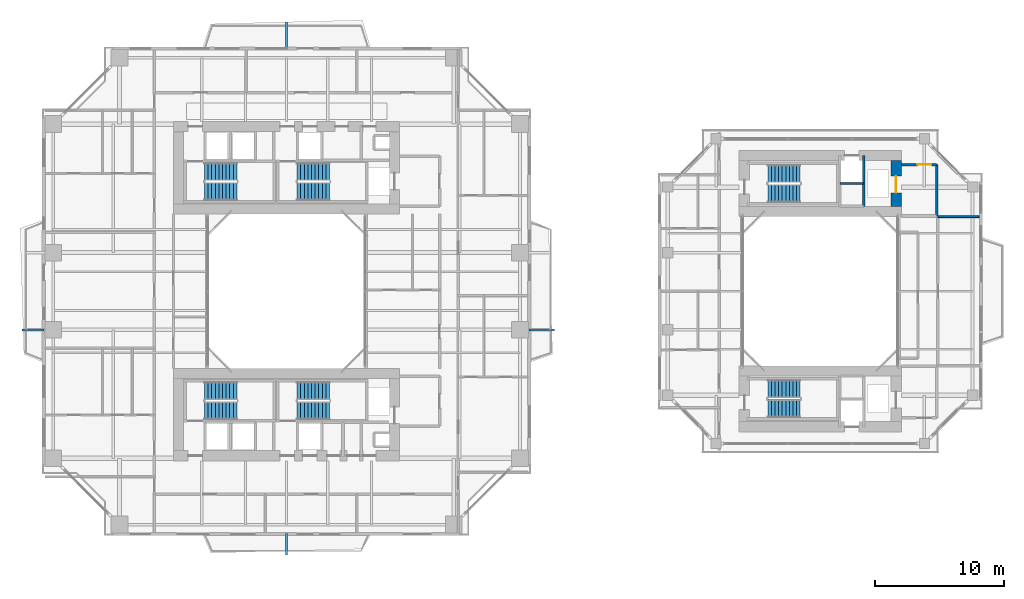
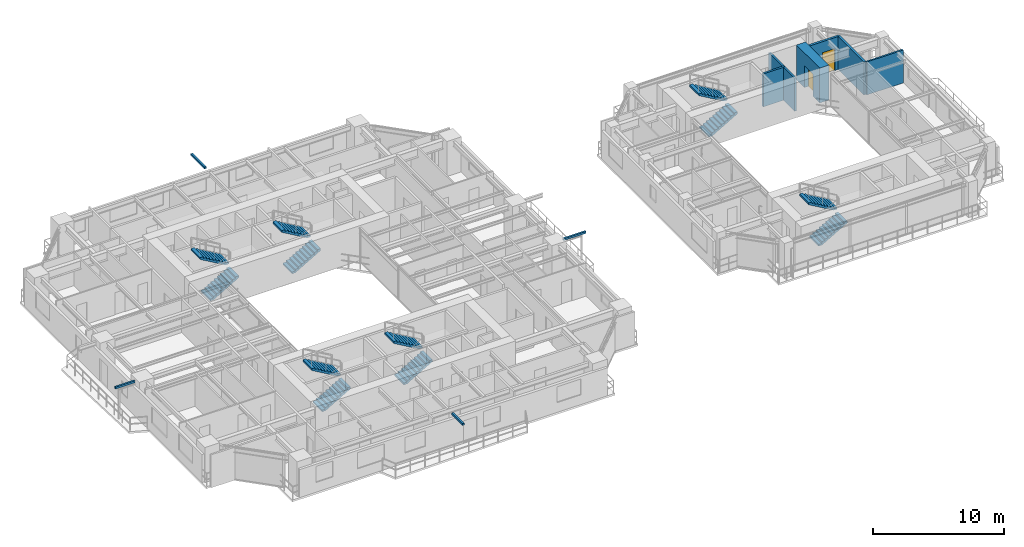
# One storey, part 19 of 23: 12 stair flights, 6 walls, 4 discrete accessories, 2 doors, 2 openings, 6 elements without a shape of their own.
"""IFC4 building model written with IfcOpenShell, lengths in metres."""

from ifc_helpers import new_model, si_unit, direction, frame, frame_2d, origin, origin_2d, place, context, subcontext, project, spatial, polyline, rectangle, outline, extrude, source, transform, mapped, material, layer, layer_set, type_object, element, fill, aggregate, save


model = new_model("IFC4")

# Units and contexts
model_context = context("Model", 3, precision=1e-05, world=origin(), true_north=direction((0.0, 1.0)))
body_context = subcontext(model_context, "Body", "Model", "MODEL_VIEW")
ifc_project = project(units=[si_unit("LENGTHUNIT", "METRE"), si_unit("AREAUNIT", "SQUARE_METRE"), si_unit("VOLUMEUNIT", "CUBIC_METRE"), si_unit("PLANEANGLEUNIT", "RADIAN"), si_unit("MASSUNIT", "GRAM", prefix="KILO"), si_unit("THERMODYNAMICTEMPERATUREUNIT", "KELVIN"), si_unit("POWERUNIT", "WATT")], contexts=[model_context])

# Site, building, storey
site_placement = place(None, origin())
site = spatial("IfcSite", under=ifc_project, at=site_placement, CompositionType="ELEMENT")
building_placement = place(site_placement, origin())
building = spatial("IfcBuilding", under=site, at=building_placement, Name="Qiaomeng Ring Towers", CompositionType="ELEMENT")
storey_placement = place(building_placement, frame((0.0, 0.0, 86.0)))
storey = spatial("IfcBuildingStorey", under=building, at=storey_placement, Name="L24", CompositionType="ELEMENT", Elevation=86.0)

# Wall
ifc_material_1 = material(Name="Autoclaved aerated concrete block", Category="concrete")
ifc_layer_1 = layer(ifc_material_1, 0.199951171875, Name="Autoclaved aerated concrete block")
ifc_layer_set_1 = layer_set([ifc_layer_1], Name="Autoclaved aerated concrete block")
wall_type_1 = type_object("IfcWallType", Name="ARC-WL-PW1", PredefinedType="PARTITIONING", material=ifc_layer_set_1)
wall_1_placement = place(storey_placement, frame((69.550048828125, 28.85009765625, 0.0), z_axis=(0.0, 0.0, 1.0), x_axis=(0.0, 1.0, 0.0)))
element("IfcWall", 1, at=wall_1_placement, inside=storey, type_object=wall_type_1, Name="L24 Interior Wall PW1", PredefinedType="PARTITIONING", context=body_context, shape_type="SweptSolid", body=[
    extrude(rectangle(XDim=4.0, YDim=0.199951171875, at=frame_2d((2.0, 0.0))), origin(), (0.0, 0.0, 1.0), 3.070068359375),
])

# Wall, opening, door
wall_2_placement = place(storey_placement, frame((66.800048828125, 32.85009765625, 0.0), z_axis=(0.0, 0.0, 1.0), x_axis=(1.0, 0.0, 0.0)))
wall_2 = element("IfcWall", 2, at=wall_2_placement, inside=storey, type_object=wall_type_1, Name="L24 Interior Wall PW1", PredefinedType="PARTITIONING", context=body_context, shape_type="SweptSolid", body=[
    extrude(rectangle(XDim=2.75, YDim=0.199951171875, at=frame_2d((1.375, 0.0))), origin(), (0.0, 0.0, 1.0), 3.070068359375),
])
opening_1_placement = place(wall_2_placement, frame((1.25, 0.0, 0.0)))
opening_1 = element("IfcOpeningElement", 3, at=opening_1_placement, cuts=wall_2, Name="Opening FD3", PredefinedType="OPENING", context=body_context, shape_type="SweptSolid", body=[
    extrude(rectangle(XDim=1.10009765625, YDim=2.050048828125, at=frame_2d((0.550048828125, 1.02490234375))), frame((0.0, 0.10986328125, 0.0), z_axis=(0.0, -1.0, 0.0), x_axis=(1.0, 0.0, 0.0)), (0.0, 0.0, 1.0), 0.219970703125),
])
ifc_material_2 = material(Name="Galvanised steel", Category="steel")
door_type_1 = type_object("IfcDoorType", Name="ARC-DR-FD3", OperationType="NOTDEFINED", PredefinedType="DOOR", material=ifc_material_2)
shared_shape_1 = source(origin(), body_context, "Body", "SweptSolid", [
    extrude(rectangle(XDim=1.10009765625, YDim=2.050048828125, at=frame_2d((0.550048828125, 1.02490234375))), frame((0.0, 0.02490234375, 0.0), z_axis=(0.0, -1.0, 0.0), x_axis=(1.0, 0.0, 0.0)), (0.0, 0.0, 1.0), 0.050048828125),
])
door_1_placement = place(opening_1_placement, origin())
door_1 = element("IfcDoor", 4, at=door_1_placement, inside=storey, type_object=door_type_1, Name="L24 Door FD3", OperationType="SINGLE_SWING_RIGHT", OverallHeight=2.050048828125, OverallWidth=1.10009765625, PredefinedType="DOOR", context=body_context, shape_type="MappedRepresentation", body=[
    mapped(shared_shape_1, transform((0.0, 0.0, 0.0), x_axis=(1.0, 0.0, 0.0), y_axis=(0.0, 1.0, 0.0), z_axis=(0.0, 0.0, 1.0), scale=1.0)),
])
fill(opening_1, door_1)

# Walls
ifc_material_3 = material(Name="Gypsum fireboard steel-stud partition", Category="steel")
ifc_layer_2 = layer(ifc_material_3, 0.14990234375, Name="Gypsum fireboard steel-stud partition")
ifc_layer_set_2 = layer_set([ifc_layer_2], Name="Gypsum fireboard steel-stud partition")
wall_type_2 = type_object("IfcWallType", Name="ARC-WL-PW3", PredefinedType="PARTITIONING", material=ifc_layer_set_2)
wall_3_placement = place(storey_placement, frame((69.64990234375, 28.800048828125, 0.0), z_axis=(0.0, 0.0, 1.0), x_axis=(1.0, 0.0, 0.0)))
element("IfcWall", 5, at=wall_3_placement, inside=storey, type_object=wall_type_2, Name="L24 Interior Wall PW3", PredefinedType="PARTITIONING", context=body_context, shape_type="SweptSolid", body=[
    extrude(rectangle(XDim=3.2001953125, YDim=0.14990234375, at=frame_2d((1.60009765625, 0.0))), origin(), (0.0, 0.0, 1.0), 3.070068359375),
])
ifc_material_4 = material(Name="Concrete C40", Category="concrete")
ifc_layer_3 = layer(ifc_material_4, 0.199951171875, Name="Concrete C40")
ifc_layer_set_3 = layer_set([ifc_layer_3], Name="Concrete C40")
wall_type_3 = type_object("IfcWallType", Name="STR-WL-STSHAFT", PredefinedType="SHEAR", material=ifc_layer_set_3)
wall_4_placement = place(storey_placement, frame((63.8798828125, 29.60009765625, 0.0), z_axis=(0.0, 0.0, 1.0), x_axis=(0.0, 1.0, 0.0)))
element("IfcWall", 6, at=wall_4_placement, inside=storey, type_object=wall_type_3, Name="L24 Companion Lift Shaft East Wall N", PredefinedType="SHEAR", context=body_context, shape_type="SweptSolid", body=[
    extrude(rectangle(XDim=3.949951171875, YDim=0.179931640625, at=frame_2d((1.97509765625, 0.0))), origin(), (0.0, 0.0, 1.0), 3.070068359375),
])
wall_5_placement = place(storey_placement, frame((62.02001953125, 31.3798828125, 0.0), z_axis=(0.0, 0.0, 1.0), x_axis=(1.0, 0.0, 0.0)))
element("IfcWall", 7, at=wall_5_placement, inside=storey, type_object=wall_type_3, Name="L24 Companion Lift Shaft Divider Wall N", PredefinedType="SHEAR", context=body_context, shape_type="SweptSolid", body=[
    extrude(rectangle(XDim=1.85986328125, YDim=0.179931640625, at=frame_2d((0.929931640625, 0.0))), origin(), (0.0, 0.0, 1.0), 3.070068359375),
])

# Wall, opening, door
ifc_material_5 = material(Name="Concrete C60", Category="concrete")
ifc_layer_4 = layer(ifc_material_5, 0.800048828125, Name="Concrete C60")
ifc_layer_set_4 = layer_set([ifc_layer_4], Name="Concrete C60")
wall_type_4 = type_object("IfcWallType", Name="STR-WL-SW1", PredefinedType="SHEAR", material=ifc_layer_set_4)
wall_6_placement = place(storey_placement, frame((66.39990234375, 29.60009765625, 0.0), z_axis=(0.0, 0.0, 1.0), x_axis=(0.0, 1.0, 0.0)))
wall_6 = element("IfcWall", 8, at=wall_6_placement, inside=storey, type_object=wall_type_4, Name="L24 T2NC east core shear wall", PredefinedType="SHEAR", context=body_context, shape_type="SweptSolid", body=[
    extrude(rectangle(XDim=3.5498046875, YDim=0.800048828125, at=frame_2d((1.77490234375, 0.0))), origin(), (0.0, 0.0, 1.0), 3.25),
])
opening_2_placement = place(wall_6_placement, frame((1.050048828125, 0.0, 0.0)))
opening_2 = element("IfcOpeningElement", 9, at=opening_2_placement, cuts=wall_6, Name="Opening LD2", PredefinedType="OPENING", context=body_context, shape_type="SweptSolid", body=[
    extrude(rectangle(XDim=1.300048828125, YDim=2.050048828125, at=frame_2d((0.64990234375, 1.02490234375))), frame((0.0, 0.409912109375, 0.0), z_axis=(0.0, -1.0, 0.0), x_axis=(1.0, 0.0, 0.0)), (0.0, 0.0, 1.0), 0.820068359375),
])
ifc_material_6 = material(Name="Stainless steel 316", Category="steel")
door_type_2 = type_object("IfcDoorType", Name="ARC-DR-LD2", OperationType="NOTDEFINED", PredefinedType="DOOR", material=ifc_material_6)
shared_shape_2 = source(origin(), body_context, "Body", "SweptSolid", [
    extrude(rectangle(XDim=1.300048828125, YDim=2.050048828125, at=frame_2d((0.64990234375, 1.02490234375))), frame((0.0, 0.02490234375, 0.0), z_axis=(0.0, -1.0, 0.0), x_axis=(1.0, 0.0, 0.0)), (0.0, 0.0, 1.0), 0.050048828125),
])
door_2_placement = place(opening_2_placement, origin())
door_2 = element("IfcDoor", 10, at=door_2_placement, inside=storey, type_object=door_type_2, Name="L24 Firefighting Lift FL3 Landing Door", OperationType="SLIDING_TO_LEFT", OverallHeight=2.050048828125, OverallWidth=1.300048828125, PredefinedType="DOOR", context=body_context, shape_type="MappedRepresentation", body=[
    mapped(shared_shape_2, transform((0.0, 0.0, 0.0), x_axis=(1.0, 0.0, 0.0), y_axis=(0.0, 1.0, 0.0), z_axis=(0.0, 0.0, 1.0), scale=1.0)),
])
fill(opening_2, door_2)

# Stair, stair flights
ifc_material_7 = material(Name="Precast concrete C40", Category="concrete")
stair_type = type_object("IfcStairType", Name="ARC-ST-325", PredefinedType="HALF_TURN_STAIR", material=ifc_material_7)
stair_1_placement = place(storey_placement, origin())
stair_1 = element("IfcStair", 11, at=stair_1_placement, inside=storey, type_object=stair_type, Name="L24 Tower 1 North Stair 1", PredefinedType="HALF_TURN_STAIR")
stair_flight_type = type_object("IfcStairFlightType", Name="ARC-ST-325-FL", PredefinedType="STRAIGHT", material=ifc_material_7)
shared_shape_3 = source(origin(), body_context, "Body", "SweptSolid", [
    extrude(outline(polyline([(0.0, 0.0), (0.0, 0.16259765625), (0.280029296875, 0.16259765625), (0.280029296875, 0.324951171875), (0.56005859375, 0.324951171875), (0.56005859375, 0.487548828125), (0.840087890625, 0.487548828125), (0.840087890625, 0.64990234375), (1.1201171875, 0.64990234375), (1.1201171875, 0.8125), (1.39990234375, 0.8125), (1.39990234375, 0.97509765625), (1.679931640625, 0.97509765625), (1.679931640625, 1.137451171875), (1.9599609375, 1.137451171875), (1.9599609375, 1.300048828125), (2.239990234375, 1.300048828125), (2.239990234375, 1.46240234375), (2.52001953125, 1.46240234375), (2.52001953125, 1.625), (2.52001953125, 1.2890625), (0.298583984375, 0.0), (0.0, 0.0)])), frame((0.0, 0.699951171875, 0.0), z_axis=(0.0, -1.0, 0.0), x_axis=(1.0, 0.0, 0.0)), (0.0, 0.0, 1.0), 1.39990234375),
])
stair_flight_1_placement = place(storey_placement, frame((12.6201171875, 30.75, 0.0), z_axis=(0.0, 0.0, 1.0), x_axis=(1.0, 0.0, 0.0)))
stair_flight_1 = element("IfcStairFlight", 12, at=stair_flight_1_placement, type_object=stair_flight_type, Name="ST1 flight 1", NumberOfRisers=10, NumberOfTreads=9, PredefinedType="STRAIGHT", RiserHeight=0.1625, TreadLength=0.28, context=body_context, shape_type="MappedRepresentation", body=[
    mapped(shared_shape_3, transform((0.0, 0.0, 0.0), x_axis=(1.0, 0.0, 0.0), y_axis=(0.0, 1.0, 0.0), z_axis=(0.0, 0.0, 1.0), scale=1.0)),
])
stair_flight_2_placement = place(storey_placement, frame((15.139892578125, 32.2900390625, 1.625), z_axis=(0.0, 0.0, 1.0), x_axis=(-1.0, 0.0, 0.0)))
stair_flight_2 = element("IfcStairFlight", 13, at=stair_flight_2_placement, type_object=stair_flight_type, Name="ST1 flight 2", NumberOfRisers=10, NumberOfTreads=9, PredefinedType="STRAIGHT", RiserHeight=0.1625, TreadLength=0.28, context=body_context, shape_type="MappedRepresentation", body=[
    mapped(shared_shape_3, transform((0.0, 0.0, 0.0), x_axis=(1.0, 0.0, 0.0), y_axis=(0.0, 1.0, 0.0), z_axis=(0.0, 0.0, 1.0), scale=1.0)),
])
aggregate(stair_1, [stair_flight_1, stair_flight_2])

stair_2_placement = place(storey_placement, origin())
stair_2 = element("IfcStair", 14, at=stair_2_placement, inside=storey, type_object=stair_type, Name="L24 Tower 1 North Stair 2", PredefinedType="HALF_TURN_STAIR")
stair_flight_3_placement = place(storey_placement, frame((19.820068359375, 30.75, 0.0), z_axis=(0.0, 0.0, 1.0), x_axis=(1.0, 0.0, 0.0)))
stair_flight_3 = element("IfcStairFlight", 15, at=stair_flight_3_placement, type_object=stair_flight_type, Name="ST2 flight 1", NumberOfRisers=10, NumberOfTreads=9, PredefinedType="STRAIGHT", RiserHeight=0.1625, TreadLength=0.28, context=body_context, shape_type="MappedRepresentation", body=[
    mapped(shared_shape_3, transform((0.0, 0.0, 0.0), x_axis=(1.0, 0.0, 0.0), y_axis=(0.0, 1.0, 0.0), z_axis=(0.0, 0.0, 1.0), scale=1.0)),
])
stair_flight_4_placement = place(storey_placement, frame((22.340087890625, 32.2900390625, 1.625), z_axis=(0.0, 0.0, 1.0), x_axis=(-1.0, 0.0, 0.0)))
stair_flight_4 = element("IfcStairFlight", 16, at=stair_flight_4_placement, type_object=stair_flight_type, Name="ST2 flight 2", NumberOfRisers=10, NumberOfTreads=9, PredefinedType="STRAIGHT", RiserHeight=0.1625, TreadLength=0.28, context=body_context, shape_type="MappedRepresentation", body=[
    mapped(shared_shape_3, transform((0.0, 0.0, 0.0), x_axis=(1.0, 0.0, 0.0), y_axis=(0.0, 1.0, 0.0), z_axis=(0.0, 0.0, 1.0), scale=1.0)),
])
aggregate(stair_2, [stair_flight_3, stair_flight_4])

stair_3_placement = place(storey_placement, origin())
stair_3 = element("IfcStair", 17, at=stair_3_placement, inside=storey, type_object=stair_type, Name="L24 Tower 1 South Stair 3", PredefinedType="HALF_TURN_STAIR")
stair_flight_5_placement = place(storey_placement, frame((12.6201171875, 13.7099609375, 0.0), z_axis=(0.0, 0.0, 1.0), x_axis=(1.0, 0.0, 0.0)))
stair_flight_5 = element("IfcStairFlight", 18, at=stair_flight_5_placement, type_object=stair_flight_type, Name="ST3 flight 1", NumberOfRisers=10, NumberOfTreads=9, PredefinedType="STRAIGHT", RiserHeight=0.1625, TreadLength=0.28, context=body_context, shape_type="MappedRepresentation", body=[
    mapped(shared_shape_3, transform((0.0, 0.0, 0.0), x_axis=(1.0, 0.0, 0.0), y_axis=(0.0, 1.0, 0.0), z_axis=(0.0, 0.0, 1.0), scale=1.0)),
])
stair_flight_6_placement = place(storey_placement, frame((15.139892578125, 15.25, 1.625), z_axis=(0.0, 0.0, 1.0), x_axis=(-1.0, 0.0, 0.0)))
stair_flight_6 = element("IfcStairFlight", 19, at=stair_flight_6_placement, type_object=stair_flight_type, Name="ST3 flight 2", NumberOfRisers=10, NumberOfTreads=9, PredefinedType="STRAIGHT", RiserHeight=0.1625, TreadLength=0.28, context=body_context, shape_type="MappedRepresentation", body=[
    mapped(shared_shape_3, transform((0.0, 0.0, 0.0), x_axis=(1.0, 0.0, 0.0), y_axis=(0.0, 1.0, 0.0), z_axis=(0.0, 0.0, 1.0), scale=1.0)),
])
aggregate(stair_3, [stair_flight_5, stair_flight_6])

stair_4_placement = place(storey_placement, origin())
stair_4 = element("IfcStair", 20, at=stair_4_placement, inside=storey, type_object=stair_type, Name="L24 Tower 1 South Stair 4", PredefinedType="HALF_TURN_STAIR")
stair_flight_7_placement = place(storey_placement, frame((19.820068359375, 13.7099609375, 0.0), z_axis=(0.0, 0.0, 1.0), x_axis=(1.0, 0.0, 0.0)))
stair_flight_7 = element("IfcStairFlight", 21, at=stair_flight_7_placement, type_object=stair_flight_type, Name="ST4 flight 1", NumberOfRisers=10, NumberOfTreads=9, PredefinedType="STRAIGHT", RiserHeight=0.1625, TreadLength=0.28, context=body_context, shape_type="MappedRepresentation", body=[
    mapped(shared_shape_3, transform((0.0, 0.0, 0.0), x_axis=(1.0, 0.0, 0.0), y_axis=(0.0, 1.0, 0.0), z_axis=(0.0, 0.0, 1.0), scale=1.0)),
])
stair_flight_8_placement = place(storey_placement, frame((22.340087890625, 15.25, 1.625), z_axis=(0.0, 0.0, 1.0), x_axis=(-1.0, 0.0, 0.0)))
stair_flight_8 = element("IfcStairFlight", 22, at=stair_flight_8_placement, type_object=stair_flight_type, Name="ST4 flight 2", NumberOfRisers=10, NumberOfTreads=9, PredefinedType="STRAIGHT", RiserHeight=0.1625, TreadLength=0.28, context=body_context, shape_type="MappedRepresentation", body=[
    mapped(shared_shape_3, transform((0.0, 0.0, 0.0), x_axis=(1.0, 0.0, 0.0), y_axis=(0.0, 1.0, 0.0), z_axis=(0.0, 0.0, 1.0), scale=1.0)),
])
aggregate(stair_4, [stair_flight_7, stair_flight_8])

stair_5_placement = place(storey_placement, origin())
stair_5 = element("IfcStair", 23, at=stair_5_placement, inside=storey, type_object=stair_type, Name="L24 Companion North Stair 5", PredefinedType="HALF_TURN_STAIR")
stair_flight_9_placement = place(storey_placement, frame((56.419921875, 30.60009765625, 0.0), z_axis=(0.0, 0.0, 1.0), x_axis=(1.0, 0.0, 0.0)))
stair_flight_9 = element("IfcStairFlight", 24, at=stair_flight_9_placement, type_object=stair_flight_type, Name="ST5 flight 1", NumberOfRisers=10, NumberOfTreads=9, PredefinedType="STRAIGHT", RiserHeight=0.1625, TreadLength=0.28, context=body_context, shape_type="MappedRepresentation", body=[
    mapped(shared_shape_3, transform((0.0, 0.0, 0.0), x_axis=(1.0, 0.0, 0.0), y_axis=(0.0, 1.0, 0.0), z_axis=(0.0, 0.0, 1.0), scale=1.0)),
])
stair_flight_10_placement = place(storey_placement, frame((58.93994140625, 32.139892578125, 1.625), z_axis=(0.0, 0.0, 1.0), x_axis=(-1.0, 0.0, 0.0)))
stair_flight_10 = element("IfcStairFlight", 25, at=stair_flight_10_placement, type_object=stair_flight_type, Name="ST5 flight 2", NumberOfRisers=10, NumberOfTreads=9, PredefinedType="STRAIGHT", RiserHeight=0.1625, TreadLength=0.28, context=body_context, shape_type="MappedRepresentation", body=[
    mapped(shared_shape_3, transform((0.0, 0.0, 0.0), x_axis=(1.0, 0.0, 0.0), y_axis=(0.0, 1.0, 0.0), z_axis=(0.0, 0.0, 1.0), scale=1.0)),
])
aggregate(stair_5, [stair_flight_9, stair_flight_10])

stair_6_placement = place(storey_placement, origin())
stair_6 = element("IfcStair", 26, at=stair_6_placement, inside=storey, type_object=stair_type, Name="L24 Companion South Stair 6", PredefinedType="HALF_TURN_STAIR")
stair_flight_11_placement = place(storey_placement, frame((56.419921875, 13.860107421875, 0.0), z_axis=(0.0, 0.0, 1.0), x_axis=(1.0, 0.0, 0.0)))
stair_flight_11 = element("IfcStairFlight", 27, at=stair_flight_11_placement, type_object=stair_flight_type, Name="ST6 flight 1", NumberOfRisers=10, NumberOfTreads=9, PredefinedType="STRAIGHT", RiserHeight=0.1625, TreadLength=0.28, context=body_context, shape_type="MappedRepresentation", body=[
    mapped(shared_shape_3, transform((0.0, 0.0, 0.0), x_axis=(1.0, 0.0, 0.0), y_axis=(0.0, 1.0, 0.0), z_axis=(0.0, 0.0, 1.0), scale=1.0)),
])
stair_flight_12_placement = place(storey_placement, frame((58.93994140625, 15.39990234375, 1.625), z_axis=(0.0, 0.0, 1.0), x_axis=(-1.0, 0.0, 0.0)))
stair_flight_12 = element("IfcStairFlight", 28, at=stair_flight_12_placement, type_object=stair_flight_type, Name="ST6 flight 2", NumberOfRisers=10, NumberOfTreads=9, PredefinedType="STRAIGHT", RiserHeight=0.1625, TreadLength=0.28, context=body_context, shape_type="MappedRepresentation", body=[
    mapped(shared_shape_3, transform((0.0, 0.0, 0.0), x_axis=(1.0, 0.0, 0.0), y_axis=(0.0, 1.0, 0.0), z_axis=(0.0, 0.0, 1.0), scale=1.0)),
])
aggregate(stair_6, [stair_flight_11, stair_flight_12])

# Discrete accessories
discrete_accessory_type = type_object("IfcDiscreteAccessoryType", Name="ARC-ACC-BRACKET", PredefinedType="BRACKET", material=ifc_material_6)
shared_shape_4 = source(origin(), body_context, "Body", "SweptSolid", [
    extrude(rectangle(XDim=0.159912109375, YDim=1.64990234375, at=origin_2d()), origin(), (0.0, 0.0, 1.0), 0.179931640625),
])
discrete_accessory_1_placement = place(storey_placement, frame((19.0, 3.324951171875, 2.89990234375), z_axis=(0.0, 0.0, 1.0), x_axis=(1.0, 0.0, 0.0)))
element("IfcDiscreteAccessory", 29, at=discrete_accessory_1_placement, inside=storey, type_object=discrete_accessory_type, Name="L24 Stainless Outer-Skin Tie Bracket S", PredefinedType="BRACKET", context=body_context, shape_type="MappedRepresentation", body=[
    mapped(shared_shape_4, transform((0.0, 0.0, 0.0), x_axis=(1.0, 0.0, 0.0), y_axis=(0.0, 1.0, 0.0), z_axis=(0.0, 0.0, 1.0), scale=1.0)),
])
shared_shape_5 = source(origin(), body_context, "Body", "SweptSolid", [
    extrude(rectangle(XDim=1.989990234375, YDim=0.159912109375, at=origin_2d()), origin(), (0.0, 0.0, 1.0), 0.179931640625),
])
discrete_accessory_2_placement = place(storey_placement, frame((38.844970703125, 20.0, 2.89990234375), z_axis=(0.0, 0.0, 1.0), x_axis=(1.0, 0.0, 0.0)))
element("IfcDiscreteAccessory", 30, at=discrete_accessory_2_placement, inside=storey, type_object=discrete_accessory_type, Name="L24 Stainless Outer-Skin Tie Bracket E", PredefinedType="BRACKET", context=body_context, shape_type="MappedRepresentation", body=[
    mapped(shared_shape_5, transform((0.0, 0.0, 0.0), x_axis=(1.0, 0.0, 0.0), y_axis=(0.0, 1.0, 0.0), z_axis=(0.0, 0.0, 1.0), scale=1.0)),
])
shared_shape_6 = source(origin(), body_context, "Body", "SweptSolid", [
    extrude(rectangle(XDim=0.159912109375, YDim=2.090087890625, at=origin_2d()), origin(), (0.0, 0.0, 1.0), 0.179931640625),
])
discrete_accessory_3_placement = place(storey_placement, frame((19.0, 42.89501953125, 2.89990234375), z_axis=(0.0, 0.0, 1.0), x_axis=(1.0, 0.0, 0.0)))
element("IfcDiscreteAccessory", 31, at=discrete_accessory_3_placement, inside=storey, type_object=discrete_accessory_type, Name="L24 Stainless Outer-Skin Tie Bracket N", PredefinedType="BRACKET", context=body_context, shape_type="MappedRepresentation", body=[
    mapped(shared_shape_6, transform((0.0, 0.0, 0.0), x_axis=(1.0, 0.0, 0.0), y_axis=(0.0, 1.0, 0.0), z_axis=(0.0, 0.0, 1.0), scale=1.0)),
])
shared_shape_7 = source(origin(), body_context, "Body", "SweptSolid", [
    extrude(rectangle(XDim=1.72998046875, YDim=0.159912109375, at=origin_2d()), origin(), (0.0, 0.0, 1.0), 0.179931640625),
])
discrete_accessory_4_placement = place(storey_placement, frame((-0.715087890625, 20.0, 2.89990234375), z_axis=(0.0, 0.0, 1.0), x_axis=(1.0, 0.0, 0.0)))
element("IfcDiscreteAccessory", 32, at=discrete_accessory_4_placement, inside=storey, type_object=discrete_accessory_type, Name="L24 Stainless Outer-Skin Tie Bracket W", PredefinedType="BRACKET", context=body_context, shape_type="MappedRepresentation", body=[
    mapped(shared_shape_7, transform((0.0, 0.0, 0.0), x_axis=(1.0, 0.0, 0.0), y_axis=(0.0, 1.0, 0.0), z_axis=(0.0, 0.0, 1.0), scale=1.0)),
])

save(model, "model.ifc")
